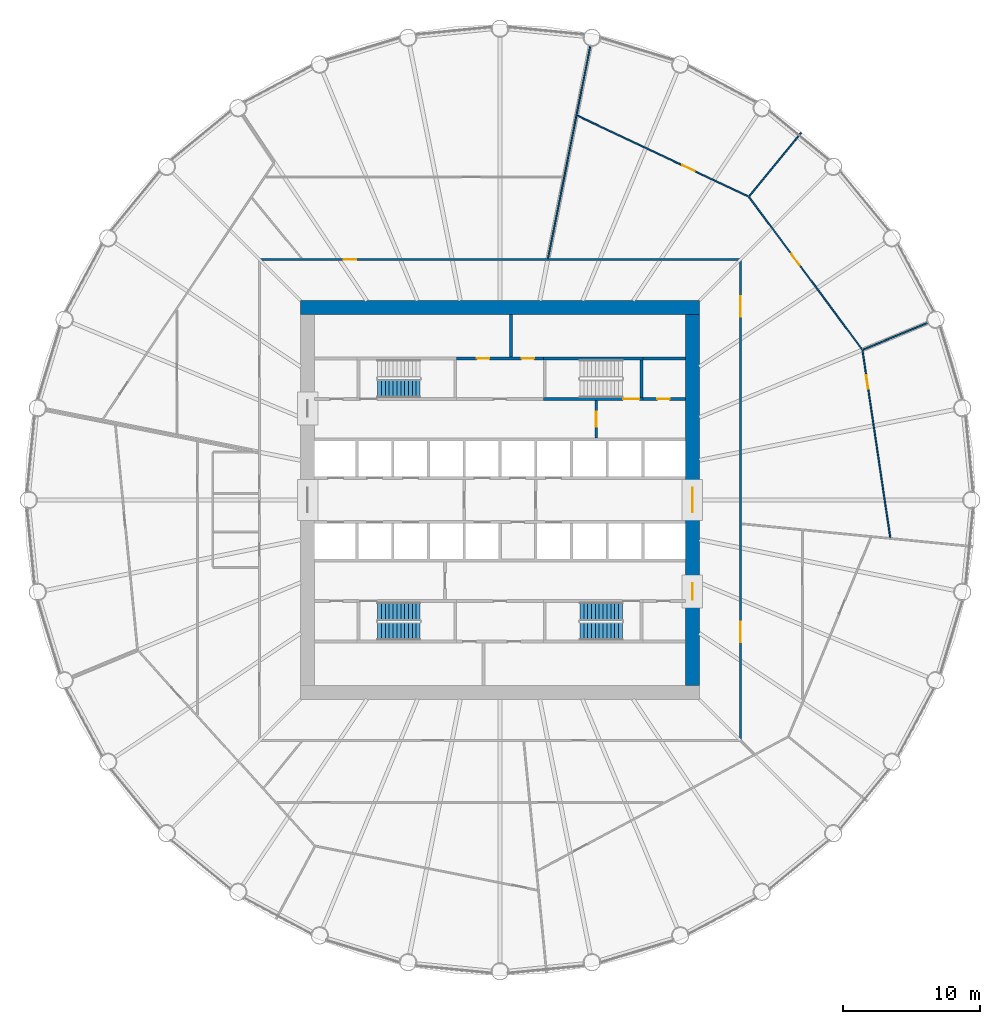
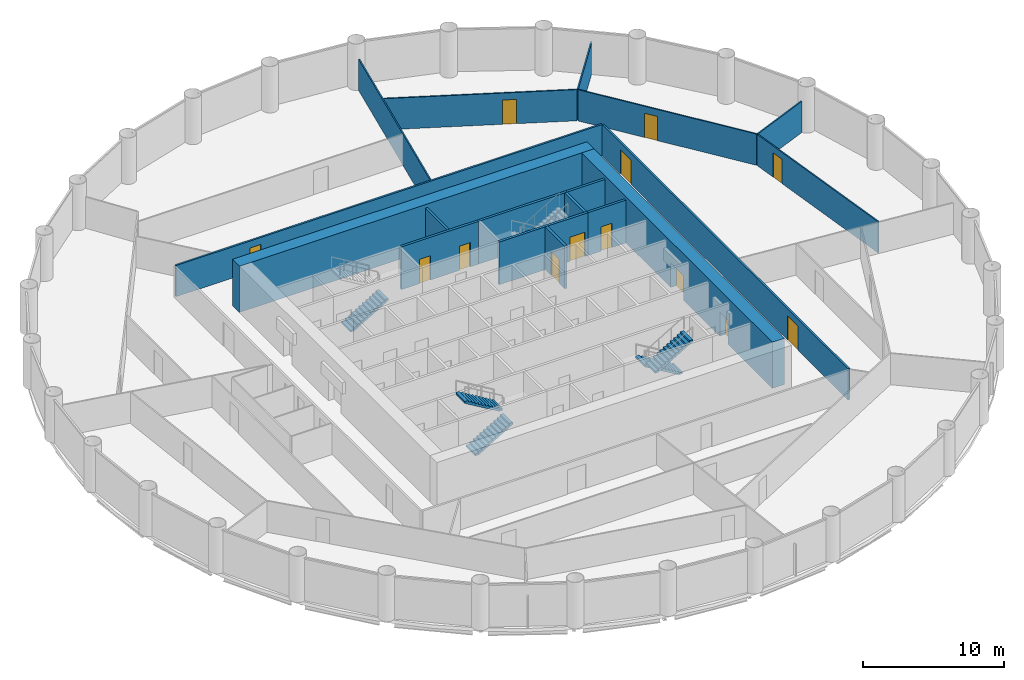
# One storey, part 7 of 9: 18 walls, 13 doors, 5 stair flights, 13 openings, 3 elements without a shape of their own.
"""IFC4 building model written with IfcOpenShell, lengths in metres."""

from ifc_helpers import new_model, si_unit, direction, frame, frame_2d, origin, place, context, subcontext, project, spatial, polyline, rectangle, outline, extrude, material, layer, layer_set, type_object, element, fill, aggregate, save


model = new_model("IFC4")

# Units and contexts
model_context = context("Model", 3, precision=1e-05, world=origin(), true_north=direction((0.0, 1.0)))
body_context = subcontext(model_context, "Body", "Model", "MODEL_VIEW")
ifc_project = project(units=[si_unit("LENGTHUNIT", "METRE"), si_unit("AREAUNIT", "SQUARE_METRE"), si_unit("VOLUMEUNIT", "CUBIC_METRE"), si_unit("PLANEANGLEUNIT", "RADIAN"), si_unit("MASSUNIT", "GRAM", prefix="KILO")], contexts=[model_context])

# Site, building, storey
site_placement = place(None, origin())
site = spatial("IfcSite", under=ifc_project, at=site_placement, CompositionType="ELEMENT")
building_placement = place(site_placement, origin())
building = spatial("IfcBuilding", under=site, at=building_placement, Name="Corvane Civic Tower", CompositionType="ELEMENT")
storey_placement = place(building_placement, frame((0.0, 0.0, 98.5)))
storey = spatial("IfcBuildingStorey", under=building, at=storey_placement, Name="L22", CompositionType="ELEMENT", Elevation=98.5)

# Wall
ifc_material_1 = material(Name="Concrete C70/85", Category="concrete")
ifc_layer_1 = layer(ifc_material_1, 1.0)
ifc_layer_set_1 = layer_set([ifc_layer_1], Name="Concrete C70/85")
wall_type_1 = type_object("IfcWallType", Name="CORE WALL 1000 C70/85", PredefinedType="SHEAR", material=ifc_layer_set_1)
wall_1_placement = place(storey_placement, frame((-14.5, 14.0, 0.0), z_axis=(0.0, 0.0, 1.0), x_axis=(1.0, 0.0, 0.0)))
element("IfcWall", 1, at=wall_1_placement, inside=storey, type_object=wall_type_1, Name="W-L22-core-N", PredefinedType="SHEAR", context=body_context, shape_type="SweptSolid", body=[
    extrude(rectangle(XDim=29.0, YDim=1.0, at=frame_2d((14.5, 0.0))), origin(), (0.0, 0.0, 1.0), 4.0),
])

# Wall, openings, doors
wall_2_placement = place(storey_placement, frame((14.0, -13.5, 0.0), z_axis=(0.0, 0.0, 1.0), x_axis=(0.0, 1.0, 0.0)))
wall_2 = element("IfcWall", 2, at=wall_2_placement, inside=storey, type_object=wall_type_1, Name="W-L22-core-E", PredefinedType="SHEAR", context=body_context, shape_type="SweptSolid", body=[
    extrude(rectangle(XDim=27.0, YDim=1.0, at=frame_2d((13.5, 0.0))), origin(), (0.0, 0.0, 1.0), 4.0),
])
opening_1_placement = place(wall_2_placement, frame((12.60009765625, 0.0, 0.0)))
opening_1 = element("IfcOpeningElement", 3, at=opening_1_placement, cuts=wall_2, Name="Opening L22.C21", PredefinedType="OPENING", context=body_context, shape_type="SweptSolid", body=[
    extrude(rectangle(XDim=1.800048828125, YDim=2.10009765625, at=frame_2d((0.89990234375, 1.050048828125))), frame((0.0, 0.510009765625, 0.0), z_axis=(0.0, -1.0, 0.0), x_axis=(1.0, 0.0, 0.0)), (0.0, 0.0, 1.0), 1.02001953125),
])
opening_2_placement = place(wall_2_placement, frame((6.25, 0.0, 0.0)))
opening_2 = element("IfcOpeningElement", 4, at=opening_2_placement, cuts=wall_2, Name="Opening L22.C23", PredefinedType="OPENING", context=body_context, shape_type="SweptSolid", body=[
    extrude(rectangle(XDim=1.199951171875, YDim=2.10009765625, at=frame_2d((0.60009765625, 1.050048828125))), frame((0.0, 0.510009765625, 0.0), z_axis=(0.0, -1.0, 0.0), x_axis=(1.0, 0.0, 0.0)), (0.0, 0.0, 1.0), 1.02001953125),
])
ifc_material_2 = material(Name="Steel fire door leaf", Category="steel")
door_type_1 = type_object("IfcDoorType", Name="CR-DOOR-CORE-1800", OperationType="DOUBLE_DOOR_SINGLE_SWING", PredefinedType="DOOR", material=ifc_material_2)
door_1_placement = place(opening_1_placement, origin())
door_1 = element("IfcDoor", 5, at=door_1_placement, inside=storey, type_object=door_type_1, Name="L22 door", OperationType="DOUBLE_DOOR_SINGLE_SWING", OverallHeight=2.10009765625, OverallWidth=1.800048828125, PredefinedType="DOOR", context=body_context, shape_type="SweptSolid", body=[
    extrude(rectangle(XDim=1.800048828125, YDim=2.10009765625, at=frame_2d((0.89990234375, 1.050048828125))), frame((0.0, 0.02490234375, 0.0), z_axis=(0.0, -1.0, 0.0), x_axis=(1.0, 0.0, 0.0)), (0.0, 0.0, 1.0), 0.050048828125),
])
fill(opening_1, door_1)
door_2_placement = place(opening_2_placement, origin())
door_2 = element("IfcDoor", 6, at=door_2_placement, inside=storey, type_object=door_type_1, Name="L22 door", OperationType="DOUBLE_DOOR_SINGLE_SWING", OverallHeight=2.10009765625, OverallWidth=1.199951171875, PredefinedType="DOOR", context=body_context, shape_type="SweptSolid", body=[
    extrude(rectangle(XDim=1.199951171875, YDim=2.10009765625, at=frame_2d((0.60009765625, 1.050048828125))), frame((0.0, 0.02490234375, 0.0), z_axis=(0.0, -1.0, 0.0), x_axis=(1.0, 0.0, 0.0)), (0.0, 0.0, 1.0), 0.050048828125),
])
fill(opening_2, door_2)

# Wall, opening, door
ifc_material_3 = material(Name="Concrete C30/37", Category="concrete")
ifc_layer_2 = layer(ifc_material_3, 0.199951171875)
ifc_layer_set_2 = layer_set([ifc_layer_2], Name="Concrete C30/37")
wall_type_2 = type_object("IfcWallType", Name="CR-WALL-200", PredefinedType="PARTITIONING", material=ifc_layer_set_2)
wall_3_placement = place(storey_placement, frame((10.39990234375, 7.35009765625, 0.0), z_axis=(0.0, 0.0, 1.0), x_axis=(1.0, 0.0, 0.0)))
wall_3 = element("IfcWall", 7, at=wall_3_placement, inside=storey, type_object=wall_type_2, Name="L22 core partition wall", PredefinedType="PARTITIONING", context=body_context, shape_type="SweptSolid", body=[
    extrude(rectangle(XDim=3.10009765625, YDim=0.199951171875, at=frame_2d((1.550048828125, 0.0))), origin(), (0.0, 0.0, 1.0), 3.699951171875),
])
opening_3_placement = place(wall_3_placement, frame((1.050048828125, 0.0, 0.0)))
opening_3 = element("IfcOpeningElement", 8, at=opening_3_placement, cuts=wall_3, Name="Opening L22.C10", PredefinedType="OPENING", context=body_context, shape_type="SweptSolid", body=[
    extrude(rectangle(XDim=0.89990234375, YDim=2.10009765625, at=frame_2d((0.449951171875, 1.050048828125))), frame((0.0, 0.10986328125, 0.0), z_axis=(0.0, -1.0, 0.0), x_axis=(1.0, 0.0, 0.0)), (0.0, 0.0, 1.0), 0.219970703125),
])
ifc_material_4 = material(Name="Steel fire door leaf", Category="steel")
door_type_2 = type_object("IfcDoorType", Name="CR-DOOR-900", OperationType="SINGLE_SWING_LEFT", PredefinedType="DOOR", material=ifc_material_4)
door_3_placement = place(opening_3_placement, origin())
door_3 = element("IfcDoor", 9, at=door_3_placement, inside=storey, type_object=door_type_2, Name="L22 door", OperationType="SINGLE_SWING_LEFT", OverallHeight=2.10009765625, OverallWidth=0.89990234375, PredefinedType="DOOR", context=body_context, shape_type="SweptSolid", body=[
    extrude(rectangle(XDim=0.89990234375, YDim=2.10009765625, at=frame_2d((0.449951171875, 1.050048828125))), frame((0.0, 0.02490234375, 0.0), z_axis=(0.0, -1.0, 0.0), x_axis=(1.0, 0.0, 0.0)), (0.0, 0.0, 1.0), 0.050048828125),
])
fill(opening_3, door_3)

# Wall, openings, doors
wall_4_placement = place(storey_placement, frame((-3.14990234375, 10.300048828125, 0.0), z_axis=(0.0, 0.0, 1.0), x_axis=(1.0, 0.0, 0.0)))
wall_4 = element("IfcWall", 10, at=wall_4_placement, inside=storey, type_object=wall_type_2, Name="L22 partition wall", PredefinedType="PARTITIONING", context=body_context, shape_type="SweptSolid", body=[
    extrude(rectangle(XDim=6.2998046875, YDim=0.199951171875, at=frame_2d((3.14990234375, 0.0))), origin(), (0.0, 0.0, 1.0), 3.699951171875),
])
opening_4_placement = place(wall_4_placement, frame((1.47509765625, 0.0, 0.0)))
opening_4 = element("IfcOpeningElement", 11, at=opening_4_placement, cuts=wall_4, Name="Opening L22.C04", PredefinedType="OPENING", context=body_context, shape_type="SweptSolid", body=[
    extrude(rectangle(XDim=0.89990234375, YDim=2.10009765625, at=frame_2d((0.449951171875, 1.050048828125))), frame((0.0, 0.10986328125, 0.0), z_axis=(0.0, -1.0, 0.0), x_axis=(1.0, 0.0, 0.0)), (0.0, 0.0, 1.0), 0.219970703125),
])
opening_5_placement = place(wall_4_placement, frame((4.72509765625, 0.0, 0.0)))
opening_5 = element("IfcOpeningElement", 12, at=opening_5_placement, cuts=wall_4, Name="Opening L22.C05", PredefinedType="OPENING", context=body_context, shape_type="SweptSolid", body=[
    extrude(rectangle(XDim=0.89990234375, YDim=2.10009765625, at=frame_2d((0.449951171875, 1.050048828125))), frame((0.0, 0.10986328125, 0.0), z_axis=(0.0, -1.0, 0.0), x_axis=(1.0, 0.0, 0.0)), (0.0, 0.0, 1.0), 0.219970703125),
])
door_4_placement = place(opening_4_placement, origin())
door_4 = element("IfcDoor", 13, at=door_4_placement, inside=storey, type_object=door_type_2, Name="L22 door", OperationType="SINGLE_SWING_LEFT", OverallHeight=2.10009765625, OverallWidth=0.89990234375, PredefinedType="DOOR", context=body_context, shape_type="SweptSolid", body=[
    extrude(rectangle(XDim=0.89990234375, YDim=2.10009765625, at=frame_2d((0.449951171875, 1.050048828125))), frame((0.0, 0.02490234375, 0.0), z_axis=(0.0, -1.0, 0.0), x_axis=(1.0, 0.0, 0.0)), (0.0, 0.0, 1.0), 0.050048828125),
])
fill(opening_4, door_4)
door_5_placement = place(opening_5_placement, origin())
door_5 = element("IfcDoor", 14, at=door_5_placement, inside=storey, type_object=door_type_2, Name="L22 door", OperationType="SINGLE_SWING_LEFT", OverallHeight=2.10009765625, OverallWidth=0.89990234375, PredefinedType="DOOR", context=body_context, shape_type="SweptSolid", body=[
    extrude(rectangle(XDim=0.89990234375, YDim=2.10009765625, at=frame_2d((0.449951171875, 1.050048828125))), frame((0.0, 0.02490234375, 0.0), z_axis=(0.0, -1.0, 0.0), x_axis=(1.0, 0.0, 0.0)), (0.0, 0.0, 1.0), 0.050048828125),
])
fill(opening_5, door_5)

# Wall, opening, door
wall_5_placement = place(storey_placement, frame((7.0, 4.5, 0.0), z_axis=(0.0, 0.0, 1.0), x_axis=(0.0, 1.0, 0.0)))
wall_5 = element("IfcWall", 15, at=wall_5_placement, inside=storey, type_object=wall_type_2, Name="L22 core partition wall", PredefinedType="PARTITIONING", context=body_context, shape_type="SweptSolid", body=[
    extrude(rectangle(XDim=2.75, YDim=0.199951171875, at=frame_2d((1.375, 0.0))), origin(), (0.0, 0.0, 1.0), 3.699951171875),
])
opening_6_placement = place(wall_5_placement, frame((0.824951171875, 0.0, 0.0)))
opening_6 = element("IfcOpeningElement", 16, at=opening_6_placement, cuts=wall_5, Name="Opening L22.C18", PredefinedType="OPENING", context=body_context, shape_type="SweptSolid", body=[
    extrude(rectangle(XDim=1.10009765625, YDim=2.10009765625, at=frame_2d((0.550048828125, 1.050048828125))), frame((0.0, 0.10986328125, 0.0), z_axis=(0.0, -1.0, 0.0), x_axis=(1.0, 0.0, 0.0)), (0.0, 0.0, 1.0), 0.219970703125),
])
ifc_material_5 = material(Name="Steel fire door leaf", Category="steel")
door_type_3 = type_object("IfcDoorType", Name="CR-DOOR-FFL-1100", OperationType="SINGLE_SWING_LEFT", PredefinedType="DOOR", material=ifc_material_5)
door_6_placement = place(opening_6_placement, origin())
door_6 = element("IfcDoor", 17, at=door_6_placement, inside=storey, type_object=door_type_3, Name="L22 lobby door", OperationType="SINGLE_SWING_LEFT", OverallHeight=2.10009765625, OverallWidth=1.10009765625, PredefinedType="DOOR", context=body_context, shape_type="SweptSolid", body=[
    extrude(rectangle(XDim=1.10009765625, YDim=2.10009765625, at=frame_2d((0.550048828125, 1.050048828125))), frame((0.0, 0.02490234375, 0.0), z_axis=(0.0, -1.0, 0.0), x_axis=(1.0, 0.0, 0.0)), (0.0, 0.0, 1.0), 0.050048828125),
])
fill(opening_6, door_6)

# Walls
wall_6_placement = place(storey_placement, origin())
element("IfcWall", 18, at=wall_6_placement, inside=storey, type_object=wall_type_2, Name="L22 core partition wall", PredefinedType="PARTITIONING", context=body_context, shape_type="SweptSolid", body=[
    extrude(outline(polyline([(0.89990234375, 10.39990234375), (0.699951171875, 10.39990234375), (0.699951171875, 13.5), (0.89990234375, 13.5), (0.89990234375, 10.39990234375)])), origin(), (0.0, 0.0, 1.0), 3.699951171875),
])
wall_7_placement = place(storey_placement, origin())
element("IfcWall", 19, at=wall_7_placement, inside=storey, type_object=wall_type_2, Name="L22 core partition wall", PredefinedType="PARTITIONING", context=body_context, shape_type="SweptSolid", body=[
    extrude(outline(polyline([(10.39990234375, 10.199951171875), (10.39990234375, 10.39990234375), (13.5, 10.39990234375), (13.5, 10.199951171875), (10.39990234375, 10.199951171875)])), origin(), (0.0, 0.0, 1.0), 3.699951171875),
])

# Wall, opening, door
ifc_material_6 = material(Name="Plasterboard")
ifc_layer_3 = layer(ifc_material_6, 0.10009765625)
ifc_layer_set_3 = layer_set([ifc_layer_3], Name="Plasterboard")
wall_type_3 = type_object("IfcWallType", Name="Partition 100 plasterboard on studs", PredefinedType="PARTITIONING", material=ifc_layer_set_3)
wall_8_placement = place(storey_placement, frame((26.376220703125, 10.884521484375, 0.0), z_axis=(0.0, 0.0, 1.0), x_axis=(0.146702255058, -0.989180695506, 0.0)))
wall_8 = element("IfcWall", 20, at=wall_8_placement, inside=storey, type_object=wall_type_3, Name="Partition L22.022", PredefinedType="PARTITIONING", context=body_context, shape_type="SweptSolid", body=[
    extrude(rectangle(XDim=13.767822265625, YDim=0.10009765625, at=frame_2d((6.8837890625, 0.0))), origin(), (0.0, 0.0, 1.0), 2.699951171875),
])
opening_7_placement = place(wall_8_placement, frame((1.8193359375, 0.0, 0.0)))
opening_7 = element("IfcOpeningElement", 21, at=opening_7_placement, cuts=wall_8, Name="Opening L22.003", PredefinedType="OPENING", context=body_context, shape_type="SweptSolid", body=[
    extrude(rectangle(XDim=1.0, YDim=2.10009765625, at=frame_2d((0.5, 1.050048828125))), frame((0.0, 0.06005859375, 0.0), z_axis=(0.0, -1.0, 0.0), x_axis=(1.0, 0.0, 0.0)), (0.0, 0.0, 1.0), 0.1201171875),
])
ifc_material_7 = material(Name="Timber", Category="wood")
door_type_4 = type_object("IfcDoorType", Name="Single door 1000", OperationType="NOTDEFINED", PredefinedType="DOOR", material=ifc_material_7)
door_7_placement = place(opening_7_placement, origin())
door_7 = element("IfcDoor", 22, at=door_7_placement, inside=storey, type_object=door_type_4, Name="Door L22.003", OperationType="SINGLE_SWING_LEFT", OverallHeight=2.10009765625, OverallWidth=1.0, PredefinedType="DOOR", context=body_context, shape_type="SweptSolid", body=[
    extrude(rectangle(XDim=1.0, YDim=2.10009765625, at=frame_2d((0.5, 1.050048828125))), frame((0.0, 0.02490234375, 0.0), z_axis=(0.0, -1.0, 0.0), x_axis=(1.0, 0.0, 0.0)), (0.0, 0.0, 1.0), 0.050048828125),
])
fill(opening_7, door_7)

# Wall
wall_9_placement = place(storey_placement, frame((26.406494140625, 10.93798828125, 0.0), z_axis=(0.0, 0.0, 1.0), x_axis=(0.923879254995, 0.382684102347, 0.0)))
element("IfcWall", 23, at=wall_9_placement, inside=storey, type_object=wall_type_3, Name="Partition L22.029", PredefinedType="PARTITIONING", context=body_context, shape_type="SweptSolid", body=[
    extrude(rectangle(XDim=5.082763671875, YDim=0.10009765625, at=frame_2d((2.54150390625, 0.0))), origin(), (0.0, 0.0, 1.0), 2.699951171875),
])

# Wall, opening, door
wall_10_placement = place(storey_placement, frame((18.130859375, 22.03271484375, 0.0), z_axis=(0.0, 0.0, 1.0), x_axis=(0.595700710937, -0.803206488388, 0.0)))
wall_10 = element("IfcWall", 24, at=wall_10_placement, inside=storey, type_object=wall_type_3, Name="Partition L22.030", PredefinedType="PARTITIONING", context=body_context, shape_type="SweptSolid", body=[
    extrude(rectangle(XDim=13.792724609375, YDim=0.10009765625, at=frame_2d((6.896484375, 0.0))), origin(), (0.0, 0.0, 1.0), 2.699951171875),
])
opening_8_placement = place(wall_10_placement, frame((5.144775390625, 0.0, 0.0)))
opening_8 = element("IfcOpeningElement", 25, at=opening_8_placement, cuts=wall_10, Name="Opening L22.002", PredefinedType="OPENING", context=body_context, shape_type="SweptSolid", body=[
    extrude(rectangle(XDim=1.0, YDim=2.10009765625, at=frame_2d((0.5, 1.050048828125))), frame((0.0, 0.06005859375, 0.0), z_axis=(0.0, -1.0, 0.0), x_axis=(1.0, 0.0, 0.0)), (0.0, 0.0, 1.0), 0.1201171875),
])
door_8_placement = place(opening_8_placement, origin())
door_8 = element("IfcDoor", 26, at=door_8_placement, inside=storey, type_object=door_type_4, Name="Door L22.002", OperationType="SINGLE_SWING_RIGHT", OverallHeight=2.10009765625, OverallWidth=1.0, PredefinedType="DOOR", context=body_context, shape_type="SweptSolid", body=[
    extrude(rectangle(XDim=1.0, YDim=2.10009765625, at=frame_2d((0.5, 1.050048828125))), frame((0.0, 0.02490234375, 0.0), z_axis=(0.0, -1.0, 0.0), x_axis=(1.0, 0.0, 0.0)), (0.0, 0.0, 1.0), 0.050048828125),
])
fill(opening_8, door_8)

# Wall
wall_11_placement = place(storey_placement, frame((3.497802734375, 17.584716796875, 0.0), z_axis=(0.0, 0.0, 1.0), x_axis=(0.195086660958, 0.980786008626, 0.0)))
element("IfcWall", 27, at=wall_11_placement, inside=storey, type_object=wall_type_3, Name="Partition L22.032", PredefinedType="PARTITIONING", context=body_context, shape_type="SweptSolid", body=[
    extrude(rectangle(XDim=15.735595703125, YDim=0.10009765625, at=frame_2d((7.86767578125, 0.0))), origin(), (0.0, 0.0, 1.0), 2.699951171875),
])

# Wall, opening, door
wall_12_placement = place(storey_placement, frame((5.62646484375, 27.967041015625, 0.0), z_axis=(0.0, 0.0, 1.0), x_axis=(0.903994764838, -0.42754352427, 0.0)))
wall_12 = element("IfcWall", 28, at=wall_12_placement, inside=storey, type_object=wall_type_3, Name="Partition L22.034", PredefinedType="PARTITIONING", context=body_context, shape_type="SweptSolid", body=[
    extrude(rectangle(XDim=13.767578125, YDim=0.10009765625, at=frame_2d((6.8837890625, 0.0))), origin(), (0.0, 0.0, 1.0), 2.699951171875),
])
opening_9_placement = place(wall_12_placement, frame((8.445068359375, 0.0, 0.0)))
opening_9 = element("IfcOpeningElement", 29, at=opening_9_placement, cuts=wall_12, Name="Opening L22.001", PredefinedType="OPENING", context=body_context, shape_type="SweptSolid", body=[
    extrude(rectangle(XDim=1.0, YDim=2.10009765625, at=frame_2d((0.5, 1.050048828125))), frame((0.0, 0.06005859375, 0.0), z_axis=(0.0, -1.0, 0.0), x_axis=(1.0, 0.0, 0.0)), (0.0, 0.0, 1.0), 0.1201171875),
])
door_9_placement = place(opening_9_placement, origin())
door_9 = element("IfcDoor", 30, at=door_9_placement, inside=storey, type_object=door_type_4, Name="Door L22.001", OperationType="SINGLE_SWING_LEFT", OverallHeight=2.10009765625, OverallWidth=1.0, PredefinedType="DOOR", context=body_context, shape_type="SweptSolid", body=[
    extrude(rectangle(XDim=1.0, YDim=2.10009765625, at=frame_2d((0.5, 1.050048828125))), frame((0.0, 0.02490234375, 0.0), z_axis=(0.0, -1.0, 0.0), x_axis=(1.0, 0.0, 0.0)), (0.0, 0.0, 1.0), 0.050048828125),
])
fill(opening_9, door_9)

# Wall
wall_13_placement = place(storey_placement, frame((18.13232421875, 22.09423828125, 0.0), z_axis=(0.0, 0.0, 1.0), x_axis=(0.634384310578, 0.773017817707, 0.0)))
element("IfcWall", 31, at=wall_13_placement, inside=storey, type_object=wall_type_3, Name="Partition L22.035", PredefinedType="PARTITIONING", context=body_context, shape_type="SweptSolid", body=[
    extrude(rectangle(XDim=5.96826171875, YDim=0.10009765625, at=frame_2d((2.984130859375, 0.0))), origin(), (0.0, 0.0, 1.0), 2.699951171875),
])

# Wall, opening, door
ifc_material_8 = material(Name="Concrete C50/60", Category="concrete")
ifc_layer_4 = layer(ifc_material_8, 0.199951171875)
ifc_layer_set_4 = layer_set([ifc_layer_4], Name="Concrete C50/60")
wall_type_4 = type_object("IfcWallType", Name="ST-WALL-200", PredefinedType="SHEAR", material=ifc_layer_set_4)
wall_14_placement = place(storey_placement, frame((3.14990234375, 7.35009765625, 0.0), z_axis=(0.0, 0.0, 1.0), x_axis=(1.0, 0.0, 0.0)))
wall_14 = element("IfcWall", 32, at=wall_14_placement, inside=storey, type_object=wall_type_4, Name="L22 stair enclosure wall", PredefinedType="SHEAR", context=body_context, shape_type="SweptSolid", body=[
    extrude(rectangle(XDim=7.25, YDim=0.199951171875, at=frame_2d((3.625, 0.0))), origin(), (0.0, 0.0, 1.0), 3.699951171875),
])
opening_10_placement = place(wall_14_placement, frame((5.800048828125, 0.0, 0.0)))
opening_10 = element("IfcOpeningElement", 33, at=opening_10_placement, cuts=wall_14, Name="Opening L22.C12", PredefinedType="OPENING", context=body_context, shape_type="SweptSolid", body=[
    extrude(rectangle(XDim=1.199951171875, YDim=2.10009765625, at=frame_2d((0.60009765625, 1.050048828125))), frame((0.0, 0.10986328125, 0.0), z_axis=(0.0, -1.0, 0.0), x_axis=(1.0, 0.0, 0.0)), (0.0, 0.0, 1.0), 0.219970703125),
])
ifc_material_9 = material(Name="Steel fire door leaf", Category="steel")
door_type_5 = type_object("IfcDoorType", Name="ST-DOOR-1200", OperationType="SINGLE_SWING_RIGHT", PredefinedType="DOOR", material=ifc_material_9)
door_10_placement = place(opening_10_placement, origin())
door_10 = element("IfcDoor", 34, at=door_10_placement, inside=storey, type_object=door_type_5, Name="L22 stair door", OperationType="SINGLE_SWING_RIGHT", OverallHeight=2.10009765625, OverallWidth=1.199951171875, PredefinedType="DOOR", context=body_context, shape_type="SweptSolid", body=[
    extrude(rectangle(XDim=1.199951171875, YDim=2.10009765625, at=frame_2d((0.60009765625, 1.050048828125))), frame((0.0, 0.02490234375, 0.0), z_axis=(0.0, -1.0, 0.0), x_axis=(1.0, 0.0, 0.0)), (0.0, 0.0, 1.0), 0.050048828125),
])
fill(opening_10, door_10)

# Walls
wall_15_placement = place(storey_placement, origin())
element("IfcWall", 35, at=wall_15_placement, inside=storey, type_object=wall_type_4, Name="L22 stair enclosure wall", PredefinedType="SHEAR", context=body_context, shape_type="SweptSolid", body=[
    extrude(outline(polyline([(10.39990234375, 10.199951171875), (3.14990234375, 10.199951171875), (3.14990234375, 10.39990234375), (10.39990234375, 10.39990234375), (10.39990234375, 10.199951171875)])), origin(), (0.0, 0.0, 1.0), 3.699951171875),
])
wall_16_placement = place(storey_placement, origin())
element("IfcWall", 36, at=wall_16_placement, inside=storey, type_object=wall_type_4, Name="L22 stair enclosure wall", PredefinedType="SHEAR", context=body_context, shape_type="SweptSolid", body=[
    extrude(outline(polyline([(10.39990234375, 7.449951171875), (10.199951171875, 7.449951171875), (10.199951171875, 10.199951171875), (10.39990234375, 10.199951171875), (10.39990234375, 7.449951171875)])), origin(), (0.0, 0.0, 1.0), 3.699951171875),
])

# Wall, openings, doors
ifc_material_10 = material(Name="Plasterboard")
ifc_layer_5 = layer(ifc_material_10, 0.14990234375)
ifc_layer_set_5 = layer_set([ifc_layer_5], Name="Plasterboard")
wall_type_5 = type_object("IfcWallType", Name="Tenancy wall 150 EI 60", PredefinedType="PARTITIONING", material=ifc_layer_set_5)
wall_17_placement = place(storey_placement, frame((17.5, -17.425048828125, 0.0), z_axis=(0.0, 0.0, 1.0), x_axis=(0.0, 1.0, 0.0)))
wall_17 = element("IfcWall", 37, at=wall_17_placement, inside=storey, type_object=wall_type_5, Name="Partition L22.013", PredefinedType="PARTITIONING", context=body_context, shape_type="SweptSolid", body=[
    extrude(rectangle(XDim=34.85009765625, YDim=0.14990234375, at=frame_2d((17.425048828125, 0.0))), origin(), (0.0, 0.0, 1.0), 2.699951171875),
])
opening_11_placement = place(wall_17_placement, frame((30.7646484375, 0.0, 0.0)))
opening_11 = element("IfcOpeningElement", 38, at=opening_11_placement, cuts=wall_17, Name="Opening L22.004", PredefinedType="OPENING", context=body_context, shape_type="SweptSolid", body=[
    extrude(rectangle(XDim=1.5, YDim=2.10009765625, at=frame_2d((0.75, 1.050048828125))), frame((0.0, 0.0849609375, 0.0), z_axis=(0.0, -1.0, 0.0), x_axis=(1.0, 0.0, 0.0)), (0.0, 0.0, 1.0), 0.169921875),
])
opening_12_placement = place(wall_17_placement, frame((7.081787109375, 0.0, 0.0)))
opening_12 = element("IfcOpeningElement", 39, at=opening_12_placement, cuts=wall_17, Name="Opening L22.009", PredefinedType="OPENING", context=body_context, shape_type="SweptSolid", body=[
    extrude(rectangle(XDim=1.5, YDim=2.10009765625, at=frame_2d((0.75, 1.050048828125))), frame((0.0, 0.0849609375, 0.0), z_axis=(0.0, -1.0, 0.0), x_axis=(1.0, 0.0, 0.0)), (0.0, 0.0, 1.0), 0.169921875),
])
ifc_material_11 = material(Name="Steel and timber", Category="steel")
door_type_6 = type_object("IfcDoorType", Name="Fire door FD60 double 1500", OperationType="NOTDEFINED", PredefinedType="DOOR", material=ifc_material_11)
door_11_placement = place(opening_11_placement, frame((1.5, 0.0, 0.0), z_axis=(0.0, 0.0, 1.0), x_axis=(-1.0, 0.0, 0.0)))
door_11 = element("IfcDoor", 40, at=door_11_placement, inside=storey, type_object=door_type_6, Name="Door L22.004", OperationType="DOUBLE_DOOR_SINGLE_SWING", OverallHeight=2.10009765625, OverallWidth=1.5, PredefinedType="DOOR", context=body_context, shape_type="SweptSolid", body=[
    extrude(rectangle(XDim=1.5, YDim=2.10009765625, at=frame_2d((0.75, 1.050048828125))), frame((0.0, 0.02490234375, 0.0), z_axis=(0.0, -1.0, 0.0), x_axis=(1.0, 0.0, 0.0)), (0.0, 0.0, 1.0), 0.050048828125),
])
fill(opening_11, door_11)
door_12_placement = place(opening_12_placement, frame((1.5, 0.0, 0.0), z_axis=(0.0, 0.0, 1.0), x_axis=(-1.0, 0.0, 0.0)))
door_12 = element("IfcDoor", 41, at=door_12_placement, inside=storey, type_object=door_type_6, Name="Door L22.009", OperationType="DOUBLE_DOOR_SINGLE_SWING", OverallHeight=2.10009765625, OverallWidth=1.5, PredefinedType="DOOR", context=body_context, shape_type="SweptSolid", body=[
    extrude(rectangle(XDim=1.5, YDim=2.10009765625, at=frame_2d((0.75, 1.050048828125))), frame((0.0, 0.02490234375, 0.0), z_axis=(0.0, -1.0, 0.0), x_axis=(1.0, 0.0, 0.0)), (0.0, 0.0, 1.0), 0.050048828125),
])
fill(opening_12, door_12)

# Wall, opening, door
wall_18_placement = place(storey_placement, frame((-17.425048828125, 17.5, 0.0), z_axis=(0.0, 0.0, 1.0), x_axis=(1.0, 0.0, 0.0)))
wall_18 = element("IfcWall", 42, at=wall_18_placement, inside=storey, type_object=wall_type_5, Name="Partition L22.031", PredefinedType="PARTITIONING", context=body_context, shape_type="SweptSolid", body=[
    extrude(rectangle(XDim=34.85009765625, YDim=0.14990234375, at=frame_2d((17.425048828125, 0.0))), origin(), (0.0, 0.0, 1.0), 2.699951171875),
])
opening_13_placement = place(wall_18_placement, frame((6.050537109375, 0.0, 0.0)))
opening_13 = element("IfcOpeningElement", 43, at=opening_13_placement, cuts=wall_18, Name="Opening L22.025", PredefinedType="OPENING", context=body_context, shape_type="SweptSolid", body=[
    extrude(rectangle(XDim=0.89990234375, YDim=2.10009765625, at=frame_2d((0.449951171875, 1.050048828125))), frame((0.0, 0.0849609375, 0.0), z_axis=(0.0, -1.0, 0.0), x_axis=(1.0, 0.0, 0.0)), (0.0, 0.0, 1.0), 0.169921875),
])
ifc_material_12 = material(Name="Steel and timber", Category="steel")
door_type_7 = type_object("IfcDoorType", Name="Fire door FD30S 900", OperationType="NOTDEFINED", PredefinedType="DOOR", material=ifc_material_12)
door_13_placement = place(opening_13_placement, origin())
door_13 = element("IfcDoor", 44, at=door_13_placement, inside=storey, type_object=door_type_7, Name="Door L22.025", OperationType="SINGLE_SWING_LEFT", OverallHeight=2.10009765625, OverallWidth=0.89990234375, PredefinedType="DOOR", context=body_context, shape_type="SweptSolid", body=[
    extrude(rectangle(XDim=0.89990234375, YDim=2.10009765625, at=frame_2d((0.449951171875, 1.050048828125))), frame((0.0, 0.02490234375, 0.0), z_axis=(0.0, -1.0, 0.0), x_axis=(1.0, 0.0, 0.0)), (0.0, 0.0, 1.0), 0.050048828125),
])
fill(opening_13, door_13)

# Stair, stair flights
ifc_material_13 = material(Name="Concrete C40/50", Category="concrete")
stair_type = type_object("IfcStairType", Name="ST-STAIR-HALFTURN", PredefinedType="HALF_TURN_STAIR", material=ifc_material_13)
stair_1_placement = place(storey_placement, origin())
stair_1 = element("IfcStair", 45, at=stair_1_placement, inside=storey, type_object=stair_type, Name="L22 Exit stair ST2", PredefinedType="HALF_TURN_STAIR")
ifc_material_14 = material(Name="Concrete C40/50", Category="concrete")
stair_flight_type = type_object("IfcStairFlightType", Name="ST-FLIGHT-RC", PredefinedType="STRAIGHT", material=ifc_material_14)
stair_flight_1_placement = place(storey_placement, frame((8.89990234375, -8.10009765625, 0.0), z_axis=(0.0, 0.0, 1.0), x_axis=(-1.0, 0.0, 0.0)))
stair_flight_1 = element("IfcStairFlight", 46, at=stair_flight_1_placement, type_object=stair_flight_type, Name="ST2 flight 1", NumberOfRisers=12, NumberOfTreads=11, PredefinedType="STRAIGHT", RiserHeight=0.166666667, TreadLength=0.28, context=body_context, shape_type="SweptSolid", body=[
    extrude(outline(polyline([(0.0, 0.0), (0.0, 0.166748046875), (0.280029296875, 0.166748046875), (0.280029296875, 0.333251953125), (0.56005859375, 0.333251953125), (0.56005859375, 0.5), (0.840087890625, 0.5), (0.840087890625, 0.666748046875), (1.1201171875, 0.666748046875), (1.1201171875, 0.833251953125), (1.39990234375, 0.833251953125), (1.39990234375, 1.0), (1.679931640625, 1.0), (1.679931640625, 1.166748046875), (1.9599609375, 1.166748046875), (1.9599609375, 1.333251953125), (2.239990234375, 1.333251953125), (2.239990234375, 1.5), (2.52001953125, 1.5), (2.52001953125, 1.666748046875), (2.800048828125, 1.666748046875), (2.800048828125, 1.833251953125), (3.080078125, 1.833251953125), (3.080078125, 2.0), (3.080078125, 1.658935546875), (0.29296875, 0.0), (0.0, 0.0)])), frame((0.0, 0.64990234375, 0.0), z_axis=(0.0, -1.0, 0.0), x_axis=(1.0, 0.0, 0.0)), (0.0, 0.0, 1.0), 1.300048828125),
])
stair_flight_2_placement = place(storey_placement, frame((5.820068359375, -9.550048828125, 2.0), z_axis=(0.0, 0.0, 1.0), x_axis=(1.0, 0.0, 0.0)))
stair_flight_2 = element("IfcStairFlight", 47, at=stair_flight_2_placement, type_object=stair_flight_type, Name="ST2 flight 2", NumberOfRisers=12, NumberOfTreads=11, PredefinedType="STRAIGHT", RiserHeight=0.166666667, TreadLength=0.28, context=body_context, shape_type="SweptSolid", body=[
    extrude(outline(polyline([(0.0, 0.0), (0.0, 0.166748046875), (0.280029296875, 0.166748046875), (0.280029296875, 0.333251953125), (0.56005859375, 0.333251953125), (0.56005859375, 0.5), (0.840087890625, 0.5), (0.840087890625, 0.666748046875), (1.1201171875, 0.666748046875), (1.1201171875, 0.833251953125), (1.39990234375, 0.833251953125), (1.39990234375, 1.0), (1.679931640625, 1.0), (1.679931640625, 1.166748046875), (1.9599609375, 1.166748046875), (1.9599609375, 1.333251953125), (2.239990234375, 1.333251953125), (2.239990234375, 1.5), (2.52001953125, 1.5), (2.52001953125, 1.666748046875), (2.800048828125, 1.666748046875), (2.800048828125, 1.833251953125), (3.080078125, 1.833251953125), (3.080078125, 2.0), (3.080078125, 1.658935546875), (0.29296875, 0.0), (0.0, 0.0)])), frame((0.0, 0.64990234375, 0.0), z_axis=(0.0, -1.0, 0.0), x_axis=(1.0, 0.0, 0.0)), (0.0, 0.0, 1.0), 1.300048828125),
])
aggregate(stair_1, [stair_flight_1, stair_flight_2])

stair_2_placement = place(storey_placement, origin())
stair_2 = element("IfcStair", 48, at=stair_2_placement, inside=storey, type_object=stair_type, Name="L22 Exit stair ST3", PredefinedType="HALF_TURN_STAIR")
stair_flight_3_placement = place(storey_placement, frame((-8.89990234375, -9.550048828125, 0.0), z_axis=(0.0, 0.0, 1.0), x_axis=(1.0, 0.0, 0.0)))
stair_flight_3 = element("IfcStairFlight", 49, at=stair_flight_3_placement, type_object=stair_flight_type, Name="ST3 flight 1", NumberOfRisers=12, NumberOfTreads=11, PredefinedType="STRAIGHT", RiserHeight=0.166666667, TreadLength=0.28, context=body_context, shape_type="SweptSolid", body=[
    extrude(outline(polyline([(0.0, 0.0), (0.0, 0.166748046875), (0.280029296875, 0.166748046875), (0.280029296875, 0.333251953125), (0.56005859375, 0.333251953125), (0.56005859375, 0.5), (0.840087890625, 0.5), (0.840087890625, 0.666748046875), (1.1201171875, 0.666748046875), (1.1201171875, 0.833251953125), (1.39990234375, 0.833251953125), (1.39990234375, 1.0), (1.679931640625, 1.0), (1.679931640625, 1.166748046875), (1.9599609375, 1.166748046875), (1.9599609375, 1.333251953125), (2.239990234375, 1.333251953125), (2.239990234375, 1.5), (2.52001953125, 1.5), (2.52001953125, 1.666748046875), (2.800048828125, 1.666748046875), (2.800048828125, 1.833251953125), (3.080078125, 1.833251953125), (3.080078125, 2.0), (3.080078125, 1.658935546875), (0.29296875, 0.0), (0.0, 0.0)])), frame((0.0, 0.64990234375, 0.0), z_axis=(0.0, -1.0, 0.0), x_axis=(1.0, 0.0, 0.0)), (0.0, 0.0, 1.0), 1.300048828125),
])
stair_flight_4_placement = place(storey_placement, frame((-5.820068359375, -8.10009765625, 2.0), z_axis=(0.0, 0.0, 1.0), x_axis=(-1.0, 0.0, 0.0)))
stair_flight_4 = element("IfcStairFlight", 50, at=stair_flight_4_placement, type_object=stair_flight_type, Name="ST3 flight 2", NumberOfRisers=12, NumberOfTreads=11, PredefinedType="STRAIGHT", RiserHeight=0.166666667, TreadLength=0.28, context=body_context, shape_type="SweptSolid", body=[
    extrude(outline(polyline([(0.0, 0.0), (0.0, 0.166748046875), (0.280029296875, 0.166748046875), (0.280029296875, 0.333251953125), (0.56005859375, 0.333251953125), (0.56005859375, 0.5), (0.840087890625, 0.5), (0.840087890625, 0.666748046875), (1.1201171875, 0.666748046875), (1.1201171875, 0.833251953125), (1.39990234375, 0.833251953125), (1.39990234375, 1.0), (1.679931640625, 1.0), (1.679931640625, 1.166748046875), (1.9599609375, 1.166748046875), (1.9599609375, 1.333251953125), (2.239990234375, 1.333251953125), (2.239990234375, 1.5), (2.52001953125, 1.5), (2.52001953125, 1.666748046875), (2.800048828125, 1.666748046875), (2.800048828125, 1.833251953125), (3.080078125, 1.833251953125), (3.080078125, 2.0), (3.080078125, 1.658935546875), (0.29296875, 0.0), (0.0, 0.0)])), frame((0.0, 0.64990234375, 0.0), z_axis=(0.0, -1.0, 0.0), x_axis=(1.0, 0.0, 0.0)), (0.0, 0.0, 1.0), 1.300048828125),
])
aggregate(stair_2, [stair_flight_3, stair_flight_4])

# Stair, stair flight
stair_3_placement = place(storey_placement, origin())
stair_3 = element("IfcStair", 51, at=stair_3_placement, inside=storey, type_object=stair_type, Name="L22 Exit stair ST4", PredefinedType="HALF_TURN_STAIR")
stair_flight_5_placement = place(storey_placement, frame((-8.89990234375, 8.10009765625, 0.0), z_axis=(0.0, 0.0, 1.0), x_axis=(1.0, 0.0, 0.0)))
stair_flight_5 = element("IfcStairFlight", 52, at=stair_flight_5_placement, type_object=stair_flight_type, Name="ST4 flight 1", NumberOfRisers=12, NumberOfTreads=11, PredefinedType="STRAIGHT", RiserHeight=0.166666667, TreadLength=0.28, context=body_context, shape_type="SweptSolid", body=[
    extrude(outline(polyline([(0.0, 0.0), (0.0, 0.166748046875), (0.280029296875, 0.166748046875), (0.280029296875, 0.333251953125), (0.56005859375, 0.333251953125), (0.56005859375, 0.5), (0.840087890625, 0.5), (0.840087890625, 0.666748046875), (1.1201171875, 0.666748046875), (1.1201171875, 0.833251953125), (1.39990234375, 0.833251953125), (1.39990234375, 1.0), (1.679931640625, 1.0), (1.679931640625, 1.166748046875), (1.9599609375, 1.166748046875), (1.9599609375, 1.333251953125), (2.239990234375, 1.333251953125), (2.239990234375, 1.5), (2.52001953125, 1.5), (2.52001953125, 1.666748046875), (2.800048828125, 1.666748046875), (2.800048828125, 1.833251953125), (3.080078125, 1.833251953125), (3.080078125, 2.0), (3.080078125, 1.658935546875), (0.29296875, 0.0), (0.0, 0.0)])), frame((0.0, 0.64990234375, 0.0), z_axis=(0.0, -1.0, 0.0), x_axis=(1.0, 0.0, 0.0)), (0.0, 0.0, 1.0), 1.300048828125),
])
aggregate(stair_3, [stair_flight_5])

save(model, "model.ifc")
